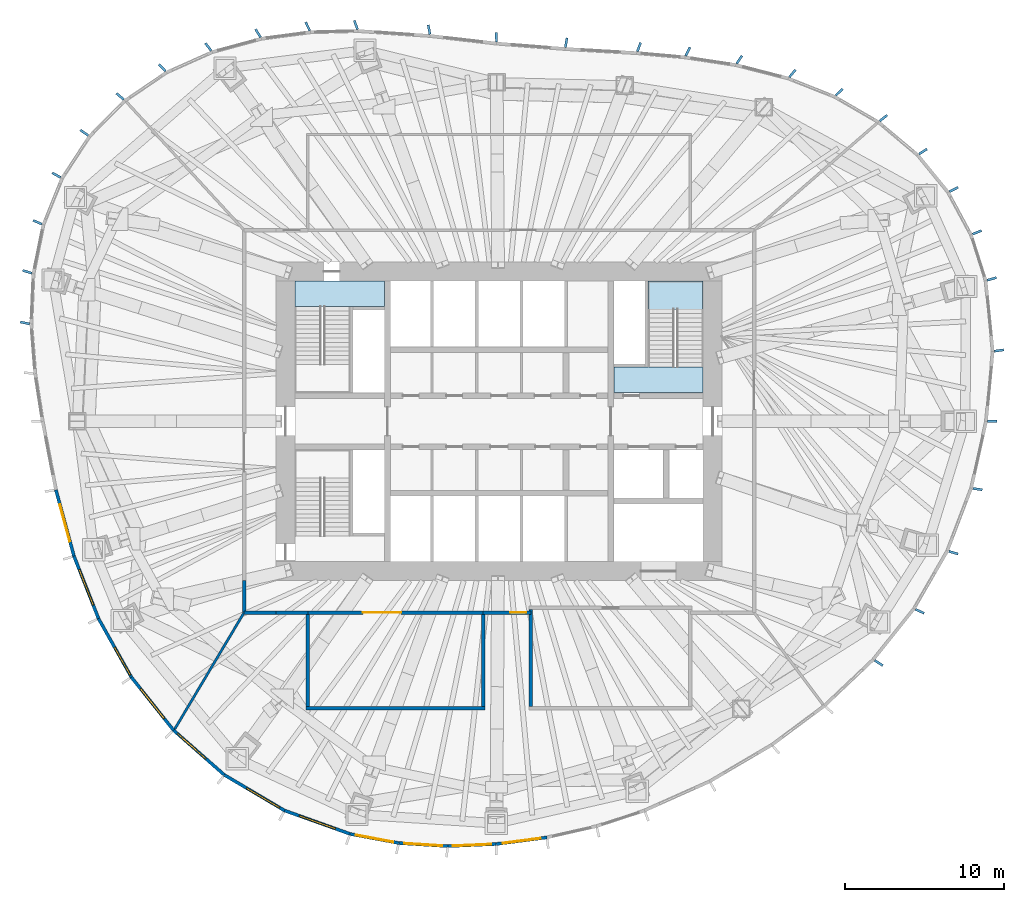
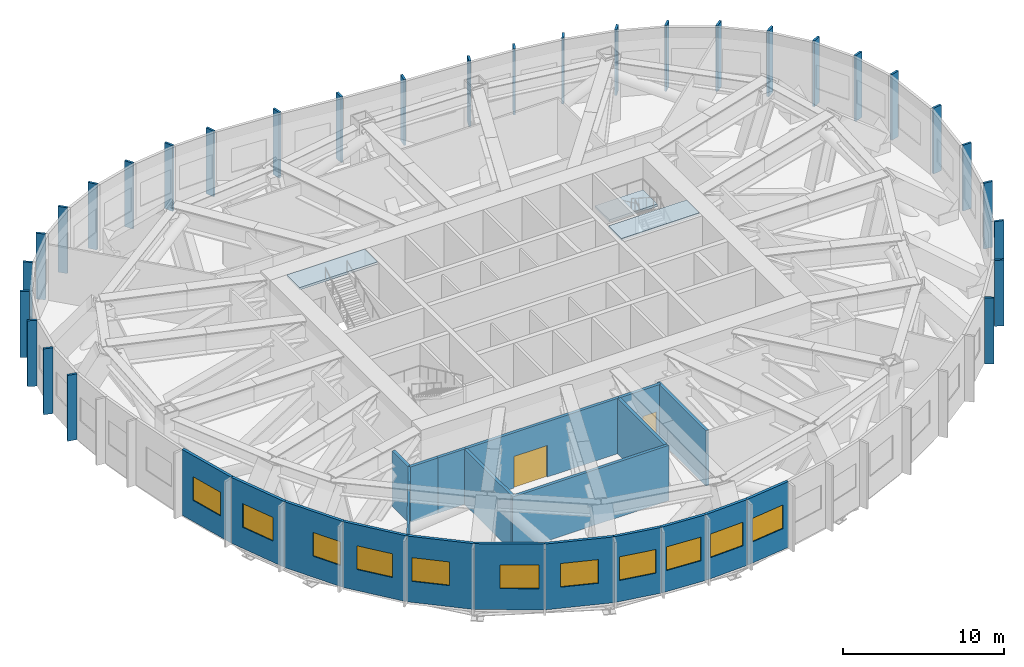
# One storey, part 6 of 12: 30 plates, 21 walls, 11 windows, 3 slabs, 2 doors, 13 openings, 2 elements without a shape of their own.
"""IFC4 building model written with IfcOpenShell, lengths in metres."""

from ifc_helpers import new_model, si_unit, direction, frame, frame_2d, origin, origin_2d, place, context, subcontext, project, spatial, polyline, rectangle, outline, extrude, material, layer, layer_set, type_object, element, fill, aggregate, save


model = new_model("IFC4")

# Units and contexts
model_context = context("Model", 3, precision=1e-05, world=origin(), true_north=direction((0.0, 1.0)))
body_context = subcontext(model_context, "Body", "Model", "MODEL_VIEW")
ifc_project = project(units=[si_unit("LENGTHUNIT", "METRE"), si_unit("AREAUNIT", "SQUARE_METRE"), si_unit("VOLUMEUNIT", "CUBIC_METRE"), si_unit("PLANEANGLEUNIT", "RADIAN"), si_unit("MASSUNIT", "GRAM", prefix="KILO")], contexts=[model_context])

# Site, building, storey
site_placement = place(None, origin())
site = spatial("IfcSite", under=ifc_project, at=site_placement, CompositionType="ELEMENT")
building_placement = place(site_placement, origin())
building = spatial("IfcBuilding", under=site, at=building_placement, Name="Ghaith Harvest Tower", CompositionType="ELEMENT")
storey_placement = place(building_placement, frame((0.0, 0.0, 189.800048828125)))
storey = spatial("IfcBuildingStorey", under=building, at=storey_placement, Name="L41", CompositionType="ELEMENT", Elevation=189.800048828125)

# Stair, slab
ifc_material_1 = material(Name="Concrete C40/50, precast", Category="concrete")
stair_type = type_object("IfcStairType", Name="CORE STAIR 28R", PredefinedType="HALF_TURN_STAIR", material=ifc_material_1)
stair_1_placement = place(storey_placement, origin())
stair_1 = element("IfcStair", 1, at=stair_1_placement, inside=storey, type_object=stair_type, Name="Stair ST1 L41", PredefinedType="HALF_TURN_STAIR")
ifc_material_2 = material(Name="Concrete C40/50, precast", Category="concrete")
ifc_layer_1 = layer(ifc_material_2, 0.179931640625)
ifc_layer_set_1 = layer_set([ifc_layer_1], Name="STAIR LANDING 180")
slab_type = type_object("IfcSlabType", Name="STAIR LANDING 180", PredefinedType="LANDING", material=ifc_layer_set_1)
slab_1_placement = place(storey_placement, frame((0.0, 0.0, 4.820068359375)))
slab_1 = element("IfcSlab", 2, at=slab_1_placement, type_object=slab_type, Name="ST1 landing 2", PredefinedType="LANDING", context=body_context, shape_type="SweptSolid", body=[
    extrude(outline(polyline([(-12.800048828125, 8.800048828125), (-12.800048828125, 7.199951171875), (-7.199951171875, 7.199951171875), (-7.199951171875, 8.800048828125), (-12.800048828125, 8.800048828125)])), origin(), (0.0, 0.0, 1.0), 0.179931640625),
])
aggregate(stair_1, [slab_1])

# Stair, slabs
stair_2_placement = place(storey_placement, origin())
stair_2 = element("IfcStair", 3, at=stair_2_placement, inside=storey, type_object=stair_type, Name="Stair ST2 L41", PredefinedType="HALF_TURN_STAIR")
slab_2_placement = place(storey_placement, frame((0.0, 0.0, 2.320068359375)))
slab_2 = element("IfcSlab", 4, at=slab_2_placement, type_object=slab_type, Name="ST2 landing 1", PredefinedType="LANDING", context=body_context, shape_type="SweptSolid", body=[
    extrude(outline(polyline([(12.800048828125, 7.02001953125), (12.800048828125, 8.800048828125), (9.35009765625, 8.800048828125), (9.35009765625, 7.02001953125), (12.800048828125, 7.02001953125)])), origin(), (0.0, 0.0, 1.0), 0.179931640625),
])
slab_3_placement = place(storey_placement, frame((0.0, 0.0, 4.820068359375)))
slab_3 = element("IfcSlab", 5, at=slab_3_placement, type_object=slab_type, Name="ST2 landing 2", PredefinedType="LANDING", context=body_context, shape_type="SweptSolid", body=[
    extrude(outline(polyline([(12.800048828125, 1.800048828125), (12.800048828125, 3.39990234375), (7.199951171875, 3.39990234375), (7.199951171875, 1.800048828125), (12.800048828125, 1.800048828125)])), origin(), (0.0, 0.0, 1.0), 0.179931640625),
])
aggregate(stair_2, [slab_2, slab_3])

# Plates
ifc_material_3 = material(Name="Glassfibre-reinforced concrete", Category="concrete")
ifc_layer_2 = layer(ifc_material_3, 0.14990234375)
ifc_layer_set_2 = layer_set([ifc_layer_2], Name="SUN-BREAKER FIN 600x150")
plate_type = type_object("IfcPlateType", Name="SUN-BREAKER FIN 600x150", PredefinedType="USERDEFINED", material=ifc_layer_set_2)
for number, where, z_axis, x_axis, name in (
    (6, (30.958740234375, 0.0, 0.0), (0.0, 0.0, 1.0), (1.0, 0.0, 0.0), "Sun-breaker fin 01.1 L41"),
    (7, (31.375, 4.443115234375, 0.0), (0.0, 0.0, 1.0), (0.990121293141, 0.140213497457, 0.0), "Sun-breaker fin 01.2 L41"),
    (8, (30.91943359375, 8.936279296875, 0.0), (0.0, 0.0, 1.0), (0.960680349985, 0.277656739792, 0.0), "Sun-breaker fin 02.1 L41"),
    (9, (29.98779296875, 11.855712890625, 0.0), (0.0, 0.0, 1.0), (0.929960843135, 0.367658578351, 0.0), "Sun-breaker fin 02.2 L41"),
    (10, (28.5341796875, 14.552734375, 0.0), (0.0, 0.0, 1.0), (0.890830752257, 0.454335306611, 0.0), "Sun-breaker fin 02.3 L41"),
    (11, (26.601318359375, 16.929443359375, 0.0), (0.0, 0.0, 1.0), (0.843643971464, 0.536903016766, 0.0), "Sun-breaker fin 03.1 L41"),
    (12, (24.1201171875, 19.027587890625, 0.0), (0.0, 0.0, 1.0), (0.785114680459, 0.619350416588, 0.0), "Sun-breaker fin 03.2 L41"),
    (13, (21.339111328125, 20.6533203125, 0.0), (0.0, 0.0, 1.0), (0.7185589652, 0.69546604053, 0.0), "Sun-breaker fin 03.3 L41"),
    (14, (18.4072265625, 21.828369140625, 0.0), (0.0, 0.0, 1.0), (0.644657240203, 0.764471740913, 0.0), "Sun-breaker fin 04.1 L41"),
    (15, (15.074951171875, 22.6962890625, 0.0), (0.0, 0.0, 1.0), (0.553282686819, 0.832993558478, 0.0), "Sun-breaker fin 04.2 L41"),
    (16, (11.84521484375, 23.20263671875, 0.0), (0.0, 0.0, 1.0), (0.454690809683, 0.890649351647, 0.0), "Sun-breaker fin 04.3 L41"),
    (17, (8.77978515625, 23.48583984375, 0.0), (0.0, 0.0, 1.0), (0.35016769709, 0.936687025593, 0.0), "Sun-breaker fin 05.1 L41"),
    (18, (4.212890625, 23.76513671875, 0.0), (0.0, 0.0, 1.0), (0.174554362122, 0.984647538292, 0.0), "Sun-breaker fin 05.2 L41"),
    (19, (-0.1650390625, 24.109619140625, 0.0), (0.0, 0.0, 1.0), (-0.006843747783, 0.999976581284, 0.0), "Sun-breaker fin 06.1 L41"),
    (20, (-4.389892578125, 24.581298828125, 0.0), (0.0, 0.0, 1.0), (-0.175802166256, 0.984425516908, 0.0), "Sun-breaker fin 06.2 L41"),
    (21, (-8.984130859375, 24.874755859375, 0.0), (0.0, 0.0, 1.0), (-0.339699453402, 0.94053404051, 0.0), "Sun-breaker fin 07.1 L41"),
    (22, (-12.0068359375, 24.78173828125, 0.0), (0.0, 0.0, 1.0), (-0.436023232142, 0.899935409367, 0.0), "Sun-breaker fin 07.2 L41"),
    (23, (-15.124267578125, 24.352783203125, 0.0), (0.0, 0.0, 1.0), (-0.527582795495, 0.849503616177, 0.0), "Sun-breaker fin 07.3 L41"),
    (24, (-18.244873046875, 23.492431640625, 0.0), (0.0, 0.0, 1.0), (-0.613377714422, 0.78978970584, 0.0), "Sun-breaker fin 08.1 L41"),
    (25, (-21.137451171875, 22.186767578125, 0.0), (0.0, 0.0, 1.0), (-0.689778750972, 0.724020217057, 0.0), "Sun-breaker fin 08.2 L41"),
    (26, (-23.77783203125, 20.386474609375, 0.0), (0.0, 0.0, 1.0), (-0.759169742643, 0.650892696115, 0.0), "Sun-breaker fin 08.3 L41"),
    (27, (-26.030029296875, 18.11181640625, 0.0), (0.0, 0.0, 1.0), (-0.820845486523, 0.571150319316, 0.0), "Sun-breaker fin 09.1 L41"),
    (28, (-27.775390625, 15.447998046875, 0.0), (0.0, 0.0, 1.0), (-0.873926916005, 0.486057347935, 0.0), "Sun-breaker fin 09.2 L41"),
    (29, (-28.9658203125, 12.494384765625, 0.0), (0.0, 0.0, 1.0), (-0.918217993215, 0.396075392995, 0.0), "Sun-breaker fin 09.3 L41"),
    (30, (-29.60302734375, 9.3818359375, 0.0), (0.0, 0.0, 1.0), (-0.953273219358, 0.302109531884, 0.0), "Sun-breaker fin 10.1 L41"),
    (31, (-29.75, 6.17333984375, 0.0), (0.0, 0.0, 1.0), (-0.979141680737, 0.203178662866, 0.0), "Sun-breaker fin 10.2 L41"),
    (32, (23.822021484375, -15.16064453125, 0.0), (0.0, 0.0, 1.0), (0.84364397137, -0.536903016913, 0.0), "Sun-breaker fin 19.1 L41"),
    (33, (26.403564453125, -11.919921875, 0.0), (0.0, 0.0, 1.0), (0.911426750831, -0.41146236507, 0.0), "Sun-breaker fin 19.2 L41"),
    (34, (28.51171875, -8.240478515625, 0.0), (0.0, 0.0, 1.0), (0.960680349932, -0.277656739976, 0.0), "Sun-breaker fin 20.1 L41"),
    (35, (30.022216796875, -4.25146484375, 0.0), (0.0, 0.0, 1.0), (0.990121293116, -0.14021349763, 0.0), "Sun-breaker fin 20.2 L41"),
):
    element("IfcPlate", number, at=place(storey_placement, frame(where, z_axis=z_axis, x_axis=x_axis)), inside=storey, type_object=plate_type, Name=name, ObjectType="SUN-BREAKER FIN", PredefinedType="USERDEFINED", context=body_context, shape_type="SweptSolid", body=[
        extrude(rectangle(XDim=0.60009765625, YDim=0.14990234375, at=origin_2d()), origin(), (0.0, 0.0, 1.0), 5.0),
    ])

# Walls
ifc_material_4 = material(Name="Concrete blockwork, 1-hour", Category="masonry")
ifc_layer_3 = layer(ifc_material_4, 0.215087890625)
ifc_layer_set_3 = layer_set([ifc_layer_3], Name="BLOCKWORK WALL 215")
wall_type_1 = type_object("IfcWallType", Name="BLOCKWORK WALL 215", PredefinedType="PARTITIONING", material=ifc_layer_set_3)
for number, where, z_axis, x_axis, name in (
    (36, (-16.0, -12.0, 0.0), (0.0, 0.0, 1.0), (1.0, 0.0, 0.0), "Plant room wall L41"),
    (37, (-14.0, -12.0, 0.0), (0.0, 0.0, 1.0), (1.0, 0.0, 0.0), "Plant room wall L41"),
):
    element("IfcWall", number, at=place(storey_placement, frame(where, z_axis=z_axis, x_axis=x_axis)), inside=storey, type_object=wall_type_1, Name=name, PredefinedType="PARTITIONING", context=body_context, shape_type="SweptSolid", body=[
        extrude(rectangle(XDim=2.0, YDim=0.215087890625, at=frame_2d((1.0, 0.0))), origin(), (0.0, 0.0, 1.0), 4.199951171875),
    ])

# Wall, opening, door
wall_1_placement = place(storey_placement, frame((-1.0, -12.0, 0.0), z_axis=(0.0, 0.0, 1.0), x_axis=(1.0, 0.0, 0.0)))
wall_1 = element("IfcWall", 38, at=wall_1_placement, inside=storey, type_object=wall_type_1, Name="Plant room wall L41", PredefinedType="PARTITIONING", context=body_context, shape_type="SweptSolid", body=[
    extrude(rectangle(XDim=3.0, YDim=0.215087890625, at=frame_2d((1.5, 0.0))), origin(), (0.0, 0.0, 1.0), 4.199951171875),
])
opening_1_placement = place(wall_1_placement, frame((1.699951171875, 0.0, 0.0)))
opening_1 = element("IfcOpeningElement", 39, at=opening_1_placement, cuts=wall_1, Name="Opening 41-026", PredefinedType="OPENING", context=body_context, shape_type="SweptSolid", body=[
    extrude(rectangle(XDim=1.0, YDim=2.199951171875, at=frame_2d((0.5, 1.10009765625))), frame((0.0, 0.11767578125, 0.0), z_axis=(0.0, -1.0, 0.0), x_axis=(1.0, 0.0, 0.0)), (0.0, 0.0, 1.0), 0.235107421875),
])
ifc_material_5 = material(Name="Timber door", Category="wood")
door_type_1 = type_object("IfcDoorType", Name="D1 SINGLE 1000x2200", OperationType="SINGLE_SWING_LEFT", PredefinedType="DOOR", material=ifc_material_5)
door_1_placement = place(opening_1_placement, origin())
door_1 = element("IfcDoor", 40, at=door_1_placement, inside=storey, type_object=door_type_1, Name="Pump room south door", OperationType="SINGLE_SWING_RIGHT", OverallHeight=2.199951171875, OverallWidth=1.0, PredefinedType="DOOR", context=body_context, shape_type="SweptSolid", body=[
    extrude(rectangle(XDim=1.0, YDim=2.199951171875, at=frame_2d((0.5, 1.10009765625))), frame((0.0, 0.02490234375, 0.0), z_axis=(0.0, -1.0, 0.0), x_axis=(1.0, 0.0, 0.0)), (0.0, 0.0, 1.0), 0.050048828125),
])
fill(opening_1, door_1)

# Walls
wall_2_placement = place(storey_placement, frame((-16.0, -10.0, 0.0), z_axis=(0.0, 0.0, 1.0), x_axis=(0.0, -1.0, 0.0)))
element("IfcWall", 41, at=wall_2_placement, inside=storey, type_object=wall_type_1, Name="Plant room wall L41", PredefinedType="PARTITIONING", context=body_context, shape_type="SweptSolid", body=[
    extrude(rectangle(XDim=2.0, YDim=0.215087890625, at=frame_2d((1.0, 0.0))), origin(), (0.0, 0.0, 1.0), 4.199951171875),
])
wall_3_placement = place(storey_placement, frame((-12.107421875, -18.0, 0.0), z_axis=(0.0, 0.0, 1.0), x_axis=(1.0, 0.0, 0.0)))
element("IfcWall", 42, at=wall_3_placement, inside=storey, type_object=wall_type_1, Name="Partition L41-02", PredefinedType="PARTITIONING", context=body_context, shape_type="SweptSolid", body=[
    extrude(rectangle(XDim=11.21484375, YDim=0.215087890625, at=frame_2d((5.607421875, 0.0))), origin(), (0.0, 0.0, 1.0), 4.199951171875),
])

# Wall, opening, door
wall_4_placement = place(storey_placement, frame((-12.107421875, -12.0, 0.0), z_axis=(0.0, 0.0, 1.0), x_axis=(1.0, 0.0, 0.0)))
wall_4 = element("IfcWall", 43, at=wall_4_placement, inside=storey, type_object=wall_type_1, Name="Partition L41-02", PredefinedType="PARTITIONING", context=body_context, shape_type="SweptSolid", body=[
    extrude(rectangle(XDim=11.21484375, YDim=0.215087890625, at=frame_2d((5.607421875, 0.0))), origin(), (0.0, 0.0, 1.0), 4.199951171875),
])
opening_2_placement = place(wall_4_placement, frame((3.5576171875, 0.0, 0.0)))
opening_2 = element("IfcOpeningElement", 44, at=opening_2_placement, cuts=wall_4, Name="Opening 41-022", PredefinedType="OPENING", context=body_context, shape_type="SweptSolid", body=[
    extrude(rectangle(XDim=2.39990234375, YDim=2.39990234375, at=frame_2d((1.199951171875, 1.199951171875))), frame((0.0, 0.11767578125, 0.0), z_axis=(0.0, -1.0, 0.0), x_axis=(1.0, 0.0, 0.0)), (0.0, 0.0, 1.0), 0.235107421875),
])
ifc_material_6 = material(Name="Timber door", Category="wood")
door_type_2 = type_object("IfcDoorType", Name="D10 PLANT PAIR 2400x2400", OperationType="DOUBLE_DOOR_SINGLE_SWING", PredefinedType="DOOR", material=ifc_material_6)
door_2_placement = place(opening_2_placement, origin())
door_2 = element("IfcDoor", 45, at=door_2_placement, inside=storey, type_object=door_type_2, Name="Water tank room door", OperationType="DOUBLE_DOOR_SINGLE_SWING", OverallHeight=2.39990234375, OverallWidth=2.39990234375, PredefinedType="DOOR", context=body_context, shape_type="SweptSolid", body=[
    extrude(rectangle(XDim=2.39990234375, YDim=2.39990234375, at=frame_2d((1.199951171875, 1.199951171875))), frame((0.0, 0.02490234375, 0.0), z_axis=(0.0, -1.0, 0.0), x_axis=(1.0, 0.0, 0.0)), (0.0, 0.0, 1.0), 0.050048828125),
])
fill(opening_2, door_2)

# Walls
for number, where, z_axis, x_axis, name in (
    (46, (-12.0, -17.892578125, 0.0), (0.0, 0.0, 1.0), (0.0, 1.0, 0.0), "Partition L41-02"),
    (47, (-1.0, -17.892578125, 0.0), (0.0, 0.0, 1.0), (0.0, 1.0, 0.0), "Partition L41-02"),
):
    element("IfcWall", number, at=place(storey_placement, frame(where, z_axis=z_axis, x_axis=x_axis)), inside=storey, type_object=wall_type_1, Name=name, PredefinedType="PARTITIONING", context=body_context, shape_type="SweptSolid", body=[
        extrude(rectangle(XDim=5.78515625, YDim=0.215087890625, at=frame_2d((2.892578125, 0.0))), origin(), (0.0, 0.0, 1.0), 4.199951171875),
    ])
wall_5_placement = place(storey_placement, frame((2.0, -17.892578125, 0.0), z_axis=(0.0, 0.0, 1.0), x_axis=(0.0, 1.0, 0.0)))
element("IfcWall", 48, at=wall_5_placement, inside=storey, type_object=wall_type_1, Name="Partition L41-03", PredefinedType="PARTITIONING", context=body_context, shape_type="SweptSolid", body=[
    extrude(rectangle(XDim=6.0849609375, YDim=0.215087890625, at=frame_2d((3.04248046875, 0.0))), origin(), (0.0, 0.0, 1.0), 4.199951171875),
])
ifc_material_7 = material(Name="Gypsum board on steel studs", Category="steel")
ifc_layer_4 = layer(ifc_material_7, 0.14990234375)
ifc_layer_set_4 = layer_set([ifc_layer_4], Name="PARTITION 150")
wall_type_2 = type_object("IfcWallType", Name="PARTITION 150", PredefinedType="PARTITIONING", material=ifc_layer_set_4)
wall_6_placement = place(storey_placement, frame((-16.01025390625, -12.01708984375, 0.0), z_axis=(0.0, 0.0, 1.0), x_axis=(-0.511508688443, -0.85927810495, 0.0)))
element("IfcWall", 49, at=wall_6_placement, inside=storey, type_object=wall_type_2, Name="Partition L41 zone division", PredefinedType="PARTITIONING", context=body_context, shape_type="SweptSolid", body=[
    extrude(rectangle(XDim=8.470458984375, YDim=0.14990234375, at=frame_2d((4.2353515625, 0.0))), origin(), (0.0, 0.0, 1.0), 4.199951171875),
])

# Wall, opening, window
ifc_material_8 = material(Name="Steel, black insulated metal cladding panel", Category="steel")
ifc_layer_5 = layer(ifc_material_8, 0.199951171875)
ifc_layer_set_5 = layer_set([ifc_layer_5], Name="PLANT ENCLOSURE WALL 200")
wall_type_3 = type_object("IfcWallType", Name="PLANT ENCLOSURE WALL 200", PredefinedType="SOLIDWALL", material=ifc_layer_set_5)
wall_7_placement = place(storey_placement, frame((-27.808349609375, -4.301025390625, 0.0), z_axis=(0.0, 0.0, 1.0), x_axis=(0.263165396504, -0.964750731579, 0.0)))
wall_7 = element("IfcWall", 50, at=wall_7_placement, inside=storey, type_object=wall_type_3, Name="Plant enclosure wall 11.2 L41", PredefinedType="SOLIDWALL", context=body_context, shape_type="SweptSolid", body=[
    extrude(rectangle(XDim=4.304443359375, YDim=0.199951171875, at=frame_2d((2.15234375, 0.0))), origin(), (0.0, 0.0, 1.0), 5.0),
])
opening_3_placement = place(wall_7_placement, frame((0.952392578125, 0.0, 1.60009765625)))
opening_3 = element("IfcOpeningElement", 51, at=opening_3_placement, cuts=wall_7, Name="Opening LV1", PredefinedType="OPENING", context=body_context, shape_type="SweptSolid", body=[
    extrude(rectangle(XDim=2.39990234375, YDim=1.800048828125, at=frame_2d((1.199951171875, 0.89990234375))), frame((0.0, 0.10986328125, 0.0), z_axis=(0.0, -1.0, 0.0), x_axis=(1.0, 0.0, 0.0)), (0.0, 0.0, 1.0), 0.219970703125),
])
ifc_material_9 = material(Name="Aluminium louvre, black", Category="aluminium")
window_type_1 = type_object("IfcWindowType", Name="LOUVRE L1 2400x1800", PartitioningType="SINGLE_PANEL", PredefinedType="WINDOW", material=ifc_material_9)
window_1_placement = place(opening_3_placement, origin())
window_1 = element("IfcWindow", 52, at=window_1_placement, inside=storey, type_object=window_type_1, Name="Plant louvre 11.2 L41", OverallHeight=1.800048828125, OverallWidth=2.39990234375, PartitioningType="SINGLE_PANEL", PredefinedType="WINDOW", context=body_context, shape_type="SweptSolid", body=[
    extrude(rectangle(XDim=2.39990234375, YDim=1.800048828125, at=frame_2d((1.199951171875, 0.89990234375))), frame((0.0, 0.030029296875, 0.0), z_axis=(0.0, -1.0, 0.0), x_axis=(1.0, 0.0, 0.0)), (0.0, 0.0, 1.0), 0.06005859375),
])
fill(opening_3, window_1)

wall_8_placement = place(storey_placement, frame((-26.675537109375, -8.453857421875, 0.0), z_axis=(0.0, 0.0, 1.0), x_axis=(0.365544727169, -0.930793775462, 0.0)))
wall_8 = element("IfcWall", 53, at=wall_8_placement, inside=storey, type_object=wall_type_3, Name="Plant enclosure wall 12.1 L41", PredefinedType="SOLIDWALL", context=body_context, shape_type="SweptSolid", body=[
    extrude(rectangle(XDim=4.210205078125, YDim=0.199951171875, at=frame_2d((2.10498046875, 0.0))), origin(), (0.0, 0.0, 1.0), 5.0),
])
opening_4_placement = place(wall_8_placement, frame((0.905029296875, 0.0, 1.60009765625)))
opening_4 = element("IfcOpeningElement", 54, at=opening_4_placement, cuts=wall_8, Name="Opening LV1", PredefinedType="OPENING", context=body_context, shape_type="SweptSolid", body=[
    extrude(rectangle(XDim=2.39990234375, YDim=1.800048828125, at=frame_2d((1.199951171875, 0.89990234375))), frame((0.0, 0.10986328125, 0.0), z_axis=(0.0, -1.0, 0.0), x_axis=(1.0, 0.0, 0.0)), (0.0, 0.0, 1.0), 0.219970703125),
])
window_2_placement = place(opening_4_placement, origin())
window_2 = element("IfcWindow", 55, at=window_2_placement, inside=storey, type_object=window_type_1, Name="Plant louvre 12.1 L41", OverallHeight=1.800048828125, OverallWidth=2.39990234375, PartitioningType="SINGLE_PANEL", PredefinedType="WINDOW", context=body_context, shape_type="SweptSolid", body=[
    extrude(rectangle(XDim=2.39990234375, YDim=1.800048828125, at=frame_2d((1.199951171875, 0.89990234375))), frame((0.0, 0.030029296875, 0.0), z_axis=(0.0, -1.0, 0.0), x_axis=(1.0, 0.0, 0.0)), (0.0, 0.0, 1.0), 0.06005859375),
])
fill(opening_4, window_2)

wall_9_placement = place(storey_placement, frame((-25.136474609375, -12.372802734375, 0.0), z_axis=(0.0, 0.0, 1.0), x_axis=(0.48873899412, -0.872430051996, 0.0)))
wall_9 = element("IfcWall", 56, at=wall_9_placement, inside=storey, type_object=wall_type_3, Name="Plant enclosure wall 12.2 L41", PredefinedType="SOLIDWALL", context=body_context, shape_type="SweptSolid", body=[
    extrude(rectangle(XDim=4.220458984375, YDim=0.199951171875, at=frame_2d((2.1103515625, 0.0))), origin(), (0.0, 0.0, 1.0), 5.0),
])
opening_5_placement = place(wall_9_placement, frame((2.07421875, 0.0, 1.60009765625)))
opening_5 = element("IfcOpeningElement", 57, at=opening_5_placement, cuts=wall_9, Name="Opening LV2", PredefinedType="OPENING", context=body_context, shape_type="SweptSolid", body=[
    extrude(rectangle(XDim=2.0, YDim=1.800048828125, at=frame_2d((1.0, 0.89990234375))), frame((0.0, 0.10986328125, 0.0), z_axis=(0.0, -1.0, 0.0), x_axis=(1.0, 0.0, 0.0)), (0.0, 0.0, 1.0), 0.219970703125),
])
ifc_material_10 = material(Name="Aluminium louvre, black", Category="aluminium")
window_type_2 = type_object("IfcWindowType", Name="LOUVRE L2 2000x1800", PartitioningType="SINGLE_PANEL", PredefinedType="WINDOW", material=ifc_material_10)
window_3_placement = place(opening_5_placement, origin())
window_3 = element("IfcWindow", 58, at=window_3_placement, inside=storey, type_object=window_type_2, Name="Plant louvre 12.2 L41", OverallHeight=1.800048828125, OverallWidth=2.0, PartitioningType="SINGLE_PANEL", PredefinedType="WINDOW", context=body_context, shape_type="SweptSolid", body=[
    extrude(rectangle(XDim=2.0, YDim=1.800048828125, at=frame_2d((1.0, 0.89990234375))), frame((0.0, 0.030029296875, 0.0), z_axis=(0.0, -1.0, 0.0), x_axis=(1.0, 0.0, 0.0)), (0.0, 0.0, 1.0), 0.06005859375),
])
fill(opening_5, window_3)

wall_10_placement = place(storey_placement, frame((-23.07373046875, -16.054931640625, 0.0), z_axis=(0.0, 0.0, 1.0), x_axis=(0.622529159986, -0.782596604239, 0.0)))
wall_10 = element("IfcWall", 59, at=wall_10_placement, inside=storey, type_object=wall_type_3, Name="Plant enclosure wall 13.1 L41", PredefinedType="SOLIDWALL", context=body_context, shape_type="SweptSolid", body=[
    extrude(rectangle(XDim=4.25244140625, YDim=0.199951171875, at=frame_2d((2.126220703125, 0.0))), origin(), (0.0, 0.0, 1.0), 5.0),
])
opening_6_placement = place(wall_10_placement, frame((0.92626953125, 0.0, 1.60009765625)))
opening_6 = element("IfcOpeningElement", 60, at=opening_6_placement, cuts=wall_10, Name="Opening LV1", PredefinedType="OPENING", context=body_context, shape_type="SweptSolid", body=[
    extrude(rectangle(XDim=2.39990234375, YDim=1.800048828125, at=frame_2d((1.199951171875, 0.89990234375))), frame((0.0, 0.10986328125, 0.0), z_axis=(0.0, -1.0, 0.0), x_axis=(1.0, 0.0, 0.0)), (0.0, 0.0, 1.0), 0.219970703125),
])
window_4_placement = place(opening_6_placement, origin())
window_4 = element("IfcWindow", 61, at=window_4_placement, inside=storey, type_object=window_type_1, Name="Plant louvre 13.1 L41", OverallHeight=1.800048828125, OverallWidth=2.39990234375, PartitioningType="SINGLE_PANEL", PredefinedType="WINDOW", context=body_context, shape_type="SweptSolid", body=[
    extrude(rectangle(XDim=2.39990234375, YDim=1.800048828125, at=frame_2d((1.199951171875, 0.89990234375))), frame((0.0, 0.030029296875, 0.0), z_axis=(0.0, -1.0, 0.0), x_axis=(1.0, 0.0, 0.0)), (0.0, 0.0, 1.0), 0.06005859375),
])
fill(opening_6, window_4)

wall_11_placement = place(storey_placement, frame((-20.426513671875, -19.3828125, 0.0), z_axis=(0.0, 0.0, 1.0), x_axis=(0.750852473388, -0.660469956325, 0.0)))
wall_11 = element("IfcWall", 62, at=wall_11_placement, inside=storey, type_object=wall_type_3, Name="Plant enclosure wall 13.2 L41", PredefinedType="SOLIDWALL", context=body_context, shape_type="SweptSolid", body=[
    extrude(rectangle(XDim=4.251708984375, YDim=0.199951171875, at=frame_2d((2.1259765625, 0.0))), origin(), (0.0, 0.0, 1.0), 5.0),
])
opening_7_placement = place(wall_11_placement, frame((0.321533203125, 0.0, 1.60009765625)))
opening_7 = element("IfcOpeningElement", 63, at=opening_7_placement, cuts=wall_11, Name="Opening LV1", PredefinedType="OPENING", context=body_context, shape_type="SweptSolid", body=[
    extrude(rectangle(XDim=2.39990234375, YDim=1.800048828125, at=frame_2d((1.199951171875, 0.89990234375))), frame((0.0, 0.10986328125, 0.0), z_axis=(0.0, -1.0, 0.0), x_axis=(1.0, 0.0, 0.0)), (0.0, 0.0, 1.0), 0.219970703125),
])
window_5_placement = place(opening_7_placement, origin())
window_5 = element("IfcWindow", 64, at=window_5_placement, inside=storey, type_object=window_type_1, Name="Plant louvre 13.2 L41", OverallHeight=1.800048828125, OverallWidth=2.39990234375, PartitioningType="SINGLE_PANEL", PredefinedType="WINDOW", context=body_context, shape_type="SweptSolid", body=[
    extrude(rectangle(XDim=2.39990234375, YDim=1.800048828125, at=frame_2d((1.199951171875, 0.89990234375))), frame((0.0, 0.030029296875, 0.0), z_axis=(0.0, -1.0, 0.0), x_axis=(1.0, 0.0, 0.0)), (0.0, 0.0, 1.0), 0.06005859375),
])
fill(opening_7, window_5)

wall_12_placement = place(storey_placement, frame((-17.234130859375, -22.19091796875, 0.0), z_axis=(0.0, 0.0, 1.0), x_axis=(0.860922101128, -0.508736804044, 0.0)))
wall_12 = element("IfcWall", 65, at=wall_12_placement, inside=storey, type_object=wall_type_3, Name="Plant enclosure wall 14.1 L41", PredefinedType="SOLIDWALL", context=body_context, shape_type="SweptSolid", body=[
    extrude(rectangle(XDim=4.3916015625, YDim=0.199951171875, at=frame_2d((2.19580078125, 0.0))), origin(), (0.0, 0.0, 1.0), 5.0),
])
opening_8_placement = place(wall_12_placement, frame((1.62548828125, 0.0, 1.60009765625)))
opening_8 = element("IfcOpeningElement", 66, at=opening_8_placement, cuts=wall_12, Name="Opening LV1", PredefinedType="OPENING", context=body_context, shape_type="SweptSolid", body=[
    extrude(rectangle(XDim=2.39990234375, YDim=1.800048828125, at=frame_2d((1.199951171875, 0.89990234375))), frame((0.0, 0.10986328125, 0.0), z_axis=(0.0, -1.0, 0.0), x_axis=(1.0, 0.0, 0.0)), (0.0, 0.0, 1.0), 0.219970703125),
])
window_6_placement = place(opening_8_placement, origin())
window_6 = element("IfcWindow", 67, at=window_6_placement, inside=storey, type_object=window_type_1, Name="Plant louvre 14.1 L41", OverallHeight=1.800048828125, OverallWidth=2.39990234375, PartitioningType="SINGLE_PANEL", PredefinedType="WINDOW", context=body_context, shape_type="SweptSolid", body=[
    extrude(rectangle(XDim=2.39990234375, YDim=1.800048828125, at=frame_2d((1.199951171875, 0.89990234375))), frame((0.0, 0.030029296875, 0.0), z_axis=(0.0, -1.0, 0.0), x_axis=(1.0, 0.0, 0.0)), (0.0, 0.0, 1.0), 0.06005859375),
])
fill(opening_8, window_6)

wall_13_placement = place(storey_placement, frame((-13.453369140625, -24.425048828125, 0.0), z_axis=(0.0, 0.0, 1.0), x_axis=(0.941707671681, -0.336432253354, 0.0)))
wall_13 = element("IfcWall", 68, at=wall_13_placement, inside=storey, type_object=wall_type_3, Name="Plant enclosure wall 14.2 L41", PredefinedType="SOLIDWALL", context=body_context, shape_type="SweptSolid", body=[
    extrude(rectangle(XDim=4.356201171875, YDim=0.199951171875, at=frame_2d((2.17822265625, 0.0))), origin(), (0.0, 0.0, 1.0), 5.0),
])
opening_9_placement = place(wall_13_placement, frame((0.978271484375, 0.0, 1.60009765625)))
opening_9 = element("IfcOpeningElement", 69, at=opening_9_placement, cuts=wall_13, Name="Opening LV1", PredefinedType="OPENING", context=body_context, shape_type="SweptSolid", body=[
    extrude(rectangle(XDim=2.39990234375, YDim=1.800048828125, at=frame_2d((1.199951171875, 0.89990234375))), frame((0.0, 0.10986328125, 0.0), z_axis=(0.0, -1.0, 0.0), x_axis=(1.0, 0.0, 0.0)), (0.0, 0.0, 1.0), 0.219970703125),
])
window_7_placement = place(opening_9_placement, origin())
window_7 = element("IfcWindow", 70, at=window_7_placement, inside=storey, type_object=window_type_1, Name="Plant louvre 14.2 L41", OverallHeight=1.800048828125, OverallWidth=2.39990234375, PartitioningType="SINGLE_PANEL", PredefinedType="WINDOW", context=body_context, shape_type="SweptSolid", body=[
    extrude(rectangle(XDim=2.39990234375, YDim=1.800048828125, at=frame_2d((1.199951171875, 0.89990234375))), frame((0.0, 0.030029296875, 0.0), z_axis=(0.0, -1.0, 0.0), x_axis=(1.0, 0.0, 0.0)), (0.0, 0.0, 1.0), 0.06005859375),
])
fill(opening_9, window_7)

wall_14_placement = place(storey_placement, frame((-9.35107421875, -25.890625, 0.0), z_axis=(0.0, 0.0, 1.0), x_axis=(0.982929821855, -0.183980882997, 0.0)))
wall_14 = element("IfcWall", 71, at=wall_14_placement, inside=storey, type_object=wall_type_3, Name="Plant enclosure wall 15.1 L41", PredefinedType="SOLIDWALL", context=body_context, shape_type="SweptSolid", body=[
    extrude(rectangle(XDim=3.114501953125, YDim=0.199951171875, at=frame_2d((1.55712890625, 0.0))), origin(), (0.0, 0.0, 1.0), 5.0),
])
opening_10_placement = place(wall_14_placement, frame((0.357177734375, 0.0, 1.60009765625)))
opening_10 = element("IfcOpeningElement", 72, at=opening_10_placement, cuts=wall_14, Name="Opening LV1", PredefinedType="OPENING", context=body_context, shape_type="SweptSolid", body=[
    extrude(rectangle(XDim=2.39990234375, YDim=1.800048828125, at=frame_2d((1.199951171875, 0.89990234375))), frame((0.0, 0.10986328125, 0.0), z_axis=(0.0, -1.0, 0.0), x_axis=(1.0, 0.0, 0.0)), (0.0, 0.0, 1.0), 0.219970703125),
])
window_8_placement = place(opening_10_placement, origin())
window_8 = element("IfcWindow", 73, at=window_8_placement, inside=storey, type_object=window_type_1, Name="Plant louvre 15.1 L41", OverallHeight=1.800048828125, OverallWidth=2.39990234375, PartitioningType="SINGLE_PANEL", PredefinedType="WINDOW", context=body_context, shape_type="SweptSolid", body=[
    extrude(rectangle(XDim=2.39990234375, YDim=1.800048828125, at=frame_2d((1.199951171875, 0.89990234375))), frame((0.0, 0.030029296875, 0.0), z_axis=(0.0, -1.0, 0.0), x_axis=(1.0, 0.0, 0.0)), (0.0, 0.0, 1.0), 0.06005859375),
])
fill(opening_10, window_8)

wall_15_placement = place(storey_placement, frame((-6.289794921875, -26.463623046875, 0.0), z_axis=(0.0, 0.0, 1.0), x_axis=(0.998041146273, -0.062560933059, 0.0)))
wall_15 = element("IfcWall", 74, at=wall_15_placement, inside=storey, type_object=wall_type_3, Name="Plant enclosure wall 15.2 L41", PredefinedType="SOLIDWALL", context=body_context, shape_type="SweptSolid", body=[
    extrude(rectangle(XDim=3.0791015625, YDim=0.199951171875, at=frame_2d((1.53955078125, 0.0))), origin(), (0.0, 0.0, 1.0), 5.0),
])
opening_11_placement = place(wall_15_placement, frame((0.339599609375, 0.0, 1.60009765625)))
opening_11 = element("IfcOpeningElement", 75, at=opening_11_placement, cuts=wall_15, Name="Opening LV1", PredefinedType="OPENING", context=body_context, shape_type="SweptSolid", body=[
    extrude(rectangle(XDim=2.39990234375, YDim=1.800048828125, at=frame_2d((1.199951171875, 0.89990234375))), frame((0.0, 0.10986328125, 0.0), z_axis=(0.0, -1.0, 0.0), x_axis=(1.0, 0.0, 0.0)), (0.0, 0.0, 1.0), 0.219970703125),
])
window_9_placement = place(opening_11_placement, origin())
window_9 = element("IfcWindow", 76, at=window_9_placement, inside=storey, type_object=window_type_1, Name="Plant louvre 15.2 L41", OverallHeight=1.800048828125, OverallWidth=2.39990234375, PartitioningType="SINGLE_PANEL", PredefinedType="WINDOW", context=body_context, shape_type="SweptSolid", body=[
    extrude(rectangle(XDim=2.39990234375, YDim=1.800048828125, at=frame_2d((1.199951171875, 0.89990234375))), frame((0.0, 0.030029296875, 0.0), z_axis=(0.0, -1.0, 0.0), x_axis=(1.0, 0.0, 0.0)), (0.0, 0.0, 1.0), 0.06005859375),
])
fill(opening_11, window_9)

wall_16_placement = place(storey_placement, frame((-3.216796875, -26.65625, 0.0), z_axis=(0.0, 0.0, 1.0), x_axis=(0.999047495986, 0.043636003082, 0.0)))
wall_16 = element("IfcWall", 77, at=wall_16_placement, inside=storey, type_object=wall_type_3, Name="Plant enclosure wall 15.3 L41", PredefinedType="SOLIDWALL", context=body_context, shape_type="SweptSolid", body=[
    extrude(rectangle(XDim=3.0380859375, YDim=0.199951171875, at=frame_2d((1.51904296875, 0.0))), origin(), (0.0, 0.0, 1.0), 5.0),
])
opening_12_placement = place(wall_16_placement, frame((0.319091796875, 0.0, 1.60009765625)))
opening_12 = element("IfcOpeningElement", 78, at=opening_12_placement, cuts=wall_16, Name="Opening LV1", PredefinedType="OPENING", context=body_context, shape_type="SweptSolid", body=[
    extrude(rectangle(XDim=2.39990234375, YDim=1.800048828125, at=frame_2d((1.199951171875, 0.89990234375))), frame((0.0, 0.10986328125, 0.0), z_axis=(0.0, -1.0, 0.0), x_axis=(1.0, 0.0, 0.0)), (0.0, 0.0, 1.0), 0.219970703125),
])
window_10_placement = place(opening_12_placement, origin())
window_10 = element("IfcWindow", 79, at=window_10_placement, inside=storey, type_object=window_type_1, Name="Plant louvre 15.3 L41", OverallHeight=1.800048828125, OverallWidth=2.39990234375, PartitioningType="SINGLE_PANEL", PredefinedType="WINDOW", context=body_context, shape_type="SweptSolid", body=[
    extrude(rectangle(XDim=2.39990234375, YDim=1.800048828125, at=frame_2d((1.199951171875, 0.89990234375))), frame((0.0, 0.030029296875, 0.0), z_axis=(0.0, -1.0, 0.0), x_axis=(1.0, 0.0, 0.0)), (0.0, 0.0, 1.0), 0.06005859375),
])
fill(opening_12, window_10)

wall_17_placement = place(storey_placement, frame((-0.181640625, -26.523681640625, 0.0), z_axis=(0.0, 0.0, 1.0), x_axis=(0.991667162117, 0.12882639318, 0.0)))
wall_17 = element("IfcWall", 80, at=wall_17_placement, inside=storey, type_object=wall_type_3, Name="Plant enclosure wall 16.1 L41", PredefinedType="SOLIDWALL", context=body_context, shape_type="SweptSolid", body=[
    extrude(rectangle(XDim=3.216064453125, YDim=0.199951171875, at=frame_2d((1.60791015625, 0.0))), origin(), (0.0, 0.0, 1.0), 5.0),
])
opening_13_placement = place(wall_17_placement, frame((0.407958984375, 0.0, 1.60009765625)))
opening_13 = element("IfcOpeningElement", 81, at=opening_13_placement, cuts=wall_17, Name="Opening LV1", PredefinedType="OPENING", context=body_context, shape_type="SweptSolid", body=[
    extrude(rectangle(XDim=2.39990234375, YDim=1.800048828125, at=frame_2d((1.199951171875, 0.89990234375))), frame((0.0, 0.10986328125, 0.0), z_axis=(0.0, -1.0, 0.0), x_axis=(1.0, 0.0, 0.0)), (0.0, 0.0, 1.0), 0.219970703125),
])
window_11_placement = place(opening_13_placement, origin())
window_11 = element("IfcWindow", 82, at=window_11_placement, inside=storey, type_object=window_type_1, Name="Plant louvre 16.1 L41", OverallHeight=1.800048828125, OverallWidth=2.39990234375, PartitioningType="SINGLE_PANEL", PredefinedType="WINDOW", context=body_context, shape_type="SweptSolid", body=[
    extrude(rectangle(XDim=2.39990234375, YDim=1.800048828125, at=frame_2d((1.199951171875, 0.89990234375))), frame((0.0, 0.030029296875, 0.0), z_axis=(0.0, -1.0, 0.0), x_axis=(1.0, 0.0, 0.0)), (0.0, 0.0, 1.0), 0.06005859375),
])
fill(opening_13, window_11)

save(model, "model.ifc")
